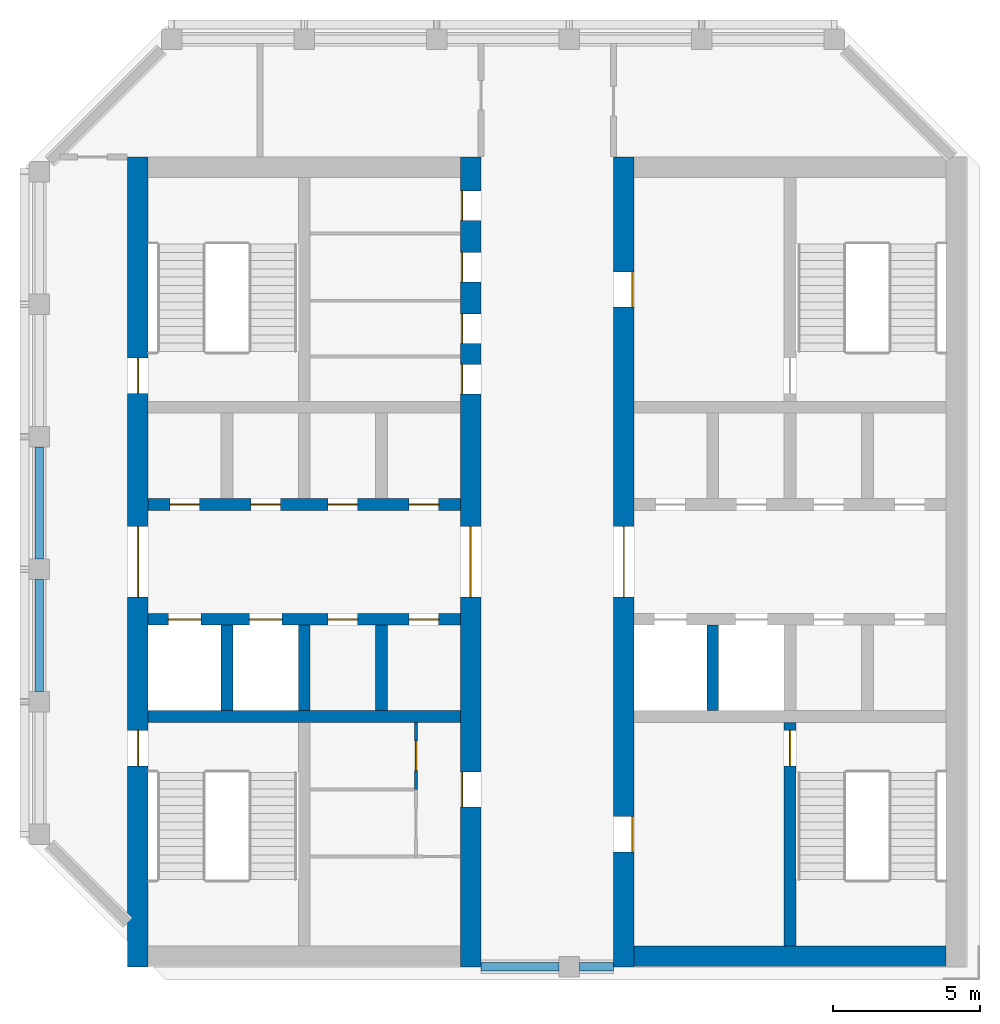
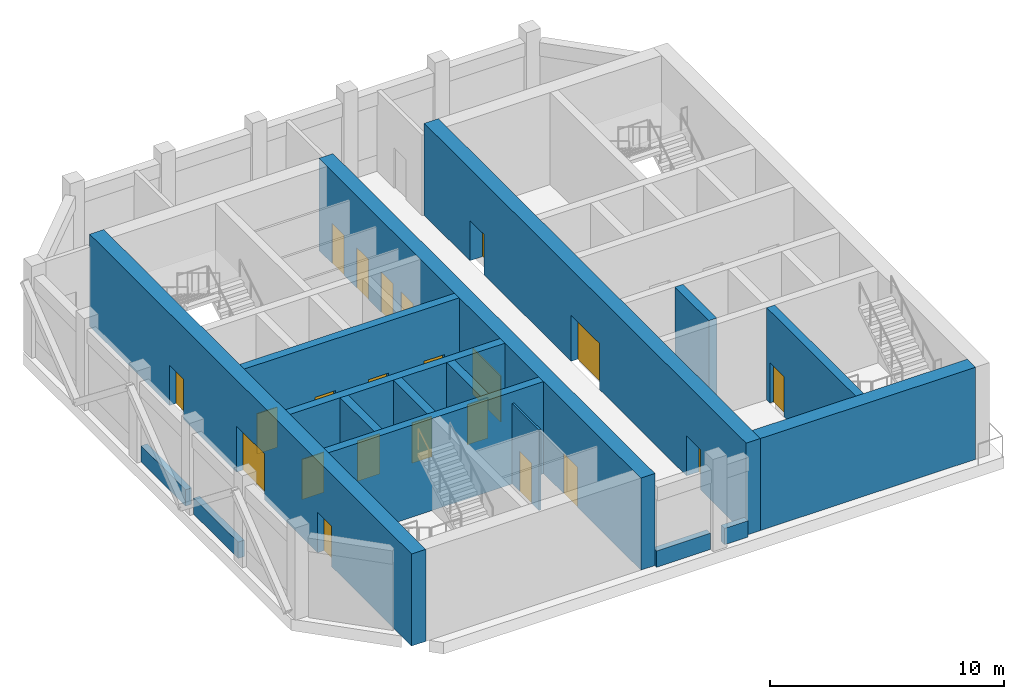
# One storey, part 2 of 6: 22 doors, 17 walls, 22 openings.
"""IFC4 building model written with IfcOpenShell, lengths in metres."""

from ifc_helpers import new_model, si_unit, direction, frame, frame_2d, origin, place, context, subcontext, project, spatial, rectangle, extrude, material, layer, layer_set, type_object, element, fill, save


model = new_model("IFC4")

# Units and contexts
model_context = context("Model", 3, precision=1e-05, world=origin(), true_north=direction((0.0, 1.0)))
body_context = subcontext(model_context, "Body", "Model", "MODEL_VIEW")
ifc_project = project(units=[si_unit("LENGTHUNIT", "METRE"), si_unit("AREAUNIT", "SQUARE_METRE"), si_unit("VOLUMEUNIT", "CUBIC_METRE"), si_unit("PLANEANGLEUNIT", "RADIAN"), si_unit("MASSUNIT", "GRAM", prefix="KILO")], contexts=[model_context])

# Site, building, storey
site_placement = place(None, origin())
site = spatial("IfcSite", under=ifc_project, at=site_placement, CompositionType="ELEMENT")
building_placement = place(site_placement, origin())
building = spatial("IfcBuilding", under=site, at=building_placement, Name="Corbel Stack Research Tower", CompositionType="ELEMENT")
storey_placement = place(building_placement, frame((0.0, 0.0, 321.39990234375)))
storey = spatial("IfcBuildingStorey", under=building, at=storey_placement, Name="L72", CompositionType="ELEMENT", Elevation=321.39990234375)

# Wall
ifc_material_1 = material(Name="Concrete C60/75", Category="concrete")
ifc_layer_1 = layer(ifc_material_1, 0.39990234375)
ifc_layer_set_1 = layer_set([ifc_layer_1], Name="Concrete C60/75")
wall_type_1 = type_object("IfcWallType", Name="CW-400-60", PredefinedType="SHEAR", material=ifc_layer_set_1)
wall_1_placement = place(storey_placement, frame((-9.800048828125, -0.5, 0.0), z_axis=(0.0, 0.0, 1.0), x_axis=(1.0, 0.0, 0.0)))
element("IfcWall", 1, at=wall_1_placement, inside=storey, type_object=wall_type_1, Name="West core wall, south row back L72", PredefinedType="SHEAR", context=body_context, shape_type="SweptSolid", body=[
    extrude(rectangle(XDim=10.60009765625, YDim=0.39990234375, at=frame_2d((5.300048828125, 0.0))), origin(), (0.0, 0.0, 1.0), 4.800048828125),
])

# Wall, openings, doors
wall_2_placement = place(storey_placement, frame((-9.800048828125, 2.800048828125, 0.0), z_axis=(0.0, 0.0, 1.0), x_axis=(1.0, 0.0, 0.0)))
wall_2 = element("IfcWall", 2, at=wall_2_placement, inside=storey, type_object=wall_type_1, Name="West core wall, lobby south L72", PredefinedType="SHEAR", context=body_context, shape_type="SweptSolid", body=[
    extrude(rectangle(XDim=10.60009765625, YDim=0.39990234375, at=frame_2d((5.300048828125, 0.0))), origin(), (0.0, 0.0, 1.0), 4.800048828125),
])
opening_1_placement = place(wall_2_placement, frame((0.6875, 0.0, 0.0)))
opening_1 = element("IfcOpeningElement", 3, at=opening_1_placement, cuts=wall_2, Name="Opening LD-FS1", PredefinedType="OPENING", context=body_context, shape_type="SweptSolid", body=[
    extrude(rectangle(XDim=1.10009765625, YDim=2.10009765625, at=frame_2d((0.550048828125, 1.050048828125))), frame((0.0, 0.2099609375, 0.0), z_axis=(0.0, -1.0, 0.0), x_axis=(1.0, 0.0, 0.0)), (0.0, 0.0, 1.0), 0.419921875),
])
opening_2_placement = place(wall_2_placement, frame((3.4375, 0.0, 0.0)))
opening_2 = element("IfcOpeningElement", 4, at=opening_2_placement, cuts=wall_2, Name="Opening LD-GL1", PredefinedType="OPENING", context=body_context, shape_type="SweptSolid", body=[
    extrude(rectangle(XDim=1.10009765625, YDim=2.10009765625, at=frame_2d((0.550048828125, 1.050048828125))), frame((0.0, 0.2099609375, 0.0), z_axis=(0.0, -1.0, 0.0), x_axis=(1.0, 0.0, 0.0)), (0.0, 0.0, 1.0), 0.419921875),
])
opening_3_placement = place(wall_2_placement, frame((6.112548828125, 0.0, 0.0)))
opening_3 = element("IfcOpeningElement", 5, at=opening_3_placement, cuts=wall_2, Name="Opening CR-W66-S3", PredefinedType="OPENING", context=body_context, shape_type="SweptSolid", body=[
    extrude(rectangle(XDim=1.0, YDim=2.10009765625, at=frame_2d((0.5, 1.050048828125))), frame((0.0, 0.2099609375, 0.0), z_axis=(0.0, -1.0, 0.0), x_axis=(1.0, 0.0, 0.0)), (0.0, 0.0, 1.0), 0.419921875),
])
opening_4_placement = place(wall_2_placement, frame((8.862548828125, 0.0, 0.0)))
opening_4 = element("IfcOpeningElement", 6, at=opening_4_placement, cuts=wall_2, Name="Opening CR-W66-S4", PredefinedType="OPENING", context=body_context, shape_type="SweptSolid", body=[
    extrude(rectangle(XDim=1.0, YDim=2.10009765625, at=frame_2d((0.5, 1.050048828125))), frame((0.0, 0.2099609375, 0.0), z_axis=(0.0, -1.0, 0.0), x_axis=(1.0, 0.0, 0.0)), (0.0, 0.0, 1.0), 0.419921875),
])
ifc_material_2 = material(Name="Stainless steel landing door", Category="steel")
door_type_1 = type_object("IfcDoorType", Name="Lift landing door 1100 x 2100", OperationType="DOUBLE_DOOR_SLIDING", PredefinedType="DOOR", material=ifc_material_2)
door_1_placement = place(opening_1_placement, origin())
door_1 = element("IfcDoor", 7, at=door_1_placement, inside=storey, type_object=door_type_1, Name="Landing door FS1", OperationType="DOUBLE_DOOR_SLIDING", OverallHeight=2.10009765625, OverallWidth=1.10009765625, PredefinedType="DOOR", context=body_context, shape_type="SweptSolid", body=[
    extrude(rectangle(XDim=1.10009765625, YDim=2.10009765625, at=frame_2d((0.550048828125, 1.050048828125))), frame((0.0, 0.02490234375, 0.0), z_axis=(0.0, -1.0, 0.0), x_axis=(1.0, 0.0, 0.0)), (0.0, 0.0, 1.0), 0.050048828125),
])
fill(opening_1, door_1)
door_2_placement = place(opening_2_placement, origin())
door_2 = element("IfcDoor", 8, at=door_2_placement, inside=storey, type_object=door_type_1, Name="Landing door GL1", OperationType="DOUBLE_DOOR_SLIDING", OverallHeight=2.10009765625, OverallWidth=1.10009765625, PredefinedType="DOOR", context=body_context, shape_type="SweptSolid", body=[
    extrude(rectangle(XDim=1.10009765625, YDim=2.10009765625, at=frame_2d((0.550048828125, 1.050048828125))), frame((0.0, 0.02490234375, 0.0), z_axis=(0.0, -1.0, 0.0), x_axis=(1.0, 0.0, 0.0)), (0.0, 0.0, 1.0), 0.050048828125),
])
fill(opening_2, door_2)
ifc_material_3 = material(Name="Painted steel door", Category="steel")
door_type_2 = type_object("IfcDoorType", Name="Service door 1000 x 2100 FD60 left hand", OperationType="SINGLE_SWING_LEFT", PredefinedType="DOOR", material=ifc_material_3)
door_3_placement = place(opening_3_placement, origin())
door_3 = element("IfcDoor", 9, at=door_3_placement, inside=storey, type_object=door_type_2, Name="Telecom plant room door W core", OperationType="SINGLE_SWING_LEFT", OverallHeight=2.10009765625, OverallWidth=1.0, PredefinedType="DOOR", context=body_context, shape_type="SweptSolid", body=[
    extrude(rectangle(XDim=1.0, YDim=2.10009765625, at=frame_2d((0.5, 1.050048828125))), frame((0.0, 0.02490234375, 0.0), z_axis=(0.0, -1.0, 0.0), x_axis=(1.0, 0.0, 0.0)), (0.0, 0.0, 1.0), 0.050048828125),
])
fill(opening_3, door_3)
ifc_material_4 = material(Name="Painted steel door", Category="steel")
door_type_3 = type_object("IfcDoorType", Name="Service door 1000 x 2100 FD60 right hand", OperationType="SINGLE_SWING_RIGHT", PredefinedType="DOOR", material=ifc_material_4)
door_4_placement = place(opening_4_placement, origin())
door_4 = element("IfcDoor", 10, at=door_4_placement, inside=storey, type_object=door_type_3, Name="Telecom plant room door W core", OperationType="SINGLE_SWING_RIGHT", OverallHeight=2.10009765625, OverallWidth=1.0, PredefinedType="DOOR", context=body_context, shape_type="SweptSolid", body=[
    extrude(rectangle(XDim=1.0, YDim=2.10009765625, at=frame_2d((0.5, 1.050048828125))), frame((0.0, 0.02490234375, 0.0), z_axis=(0.0, -1.0, 0.0), x_axis=(1.0, 0.0, 0.0)), (0.0, 0.0, 1.0), 0.050048828125),
])
fill(opening_4, door_4)

wall_3_placement = place(storey_placement, frame((-9.800048828125, 6.699951171875, 0.0), z_axis=(0.0, 0.0, 1.0), x_axis=(1.0, 0.0, 0.0)))
wall_3 = element("IfcWall", 11, at=wall_3_placement, inside=storey, type_object=wall_type_1, Name="West core wall, lobby north L72", PredefinedType="SHEAR", context=body_context, shape_type="SweptSolid", body=[
    extrude(rectangle(XDim=10.60009765625, YDim=0.39990234375, at=frame_2d((5.300048828125, 0.0))), origin(), (0.0, 0.0, 1.0), 4.800048828125),
])
opening_5_placement = place(wall_3_placement, frame((0.737548828125, 0.0, 0.0)))
opening_5 = element("IfcOpeningElement", 12, at=opening_5_placement, cuts=wall_3, Name="Opening CR-W66-N1", PredefinedType="OPENING", context=body_context, shape_type="SweptSolid", body=[
    extrude(rectangle(XDim=1.0, YDim=2.10009765625, at=frame_2d((0.5, 1.050048828125))), frame((0.0, 0.2099609375, 0.0), z_axis=(0.0, -1.0, 0.0), x_axis=(1.0, 0.0, 0.0)), (0.0, 0.0, 1.0), 0.419921875),
])
opening_6_placement = place(wall_3_placement, frame((3.487548828125, 0.0, 0.0)))
opening_6 = element("IfcOpeningElement", 13, at=opening_6_placement, cuts=wall_3, Name="Opening CR-W66-N2", PredefinedType="OPENING", context=body_context, shape_type="SweptSolid", body=[
    extrude(rectangle(XDim=1.0, YDim=2.10009765625, at=frame_2d((0.5, 1.050048828125))), frame((0.0, 0.2099609375, 0.0), z_axis=(0.0, -1.0, 0.0), x_axis=(1.0, 0.0, 0.0)), (0.0, 0.0, 1.0), 0.419921875),
])
opening_7_placement = place(wall_3_placement, frame((6.112548828125, 0.0, 0.0)))
opening_7 = element("IfcOpeningElement", 14, at=opening_7_placement, cuts=wall_3, Name="Opening CR-W66-N3", PredefinedType="OPENING", context=body_context, shape_type="SweptSolid", body=[
    extrude(rectangle(XDim=1.0, YDim=2.10009765625, at=frame_2d((0.5, 1.050048828125))), frame((0.0, 0.2099609375, 0.0), z_axis=(0.0, -1.0, 0.0), x_axis=(1.0, 0.0, 0.0)), (0.0, 0.0, 1.0), 0.419921875),
])
opening_8_placement = place(wall_3_placement, frame((8.862548828125, 0.0, 0.0)))
opening_8 = element("IfcOpeningElement", 15, at=opening_8_placement, cuts=wall_3, Name="Opening CR-W66-N4", PredefinedType="OPENING", context=body_context, shape_type="SweptSolid", body=[
    extrude(rectangle(XDim=1.0, YDim=2.10009765625, at=frame_2d((0.5, 1.050048828125))), frame((0.0, 0.2099609375, 0.0), z_axis=(0.0, -1.0, 0.0), x_axis=(1.0, 0.0, 0.0)), (0.0, 0.0, 1.0), 0.419921875),
])
door_5_placement = place(opening_5_placement, origin())
door_5 = element("IfcDoor", 16, at=door_5_placement, inside=storey, type_object=door_type_2, Name="Telecom plant room door W core", OperationType="SINGLE_SWING_LEFT", OverallHeight=2.10009765625, OverallWidth=1.0, PredefinedType="DOOR", context=body_context, shape_type="SweptSolid", body=[
    extrude(rectangle(XDim=1.0, YDim=2.10009765625, at=frame_2d((0.5, 1.050048828125))), frame((0.0, 0.02490234375, 0.0), z_axis=(0.0, -1.0, 0.0), x_axis=(1.0, 0.0, 0.0)), (0.0, 0.0, 1.0), 0.050048828125),
])
fill(opening_5, door_5)
door_6_placement = place(opening_7_placement, origin())
door_6 = element("IfcDoor", 17, at=door_6_placement, inside=storey, type_object=door_type_2, Name="Mechanical room door W core", OperationType="SINGLE_SWING_LEFT", OverallHeight=2.10009765625, OverallWidth=1.0, PredefinedType="DOOR", context=body_context, shape_type="SweptSolid", body=[
    extrude(rectangle(XDim=1.0, YDim=2.10009765625, at=frame_2d((0.5, 1.050048828125))), frame((0.0, 0.02490234375, 0.0), z_axis=(0.0, -1.0, 0.0), x_axis=(1.0, 0.0, 0.0)), (0.0, 0.0, 1.0), 0.050048828125),
])
fill(opening_7, door_6)
door_7_placement = place(opening_6_placement, origin())
door_7 = element("IfcDoor", 18, at=door_7_placement, inside=storey, type_object=door_type_3, Name="Mechanical room door W core", OperationType="SINGLE_SWING_RIGHT", OverallHeight=2.10009765625, OverallWidth=1.0, PredefinedType="DOOR", context=body_context, shape_type="SweptSolid", body=[
    extrude(rectangle(XDim=1.0, YDim=2.10009765625, at=frame_2d((0.5, 1.050048828125))), frame((0.0, 0.02490234375, 0.0), z_axis=(0.0, -1.0, 0.0), x_axis=(1.0, 0.0, 0.0)), (0.0, 0.0, 1.0), 0.050048828125),
])
fill(opening_6, door_7)
door_8_placement = place(opening_8_placement, origin())
door_8 = element("IfcDoor", 19, at=door_8_placement, inside=storey, type_object=door_type_3, Name="Mechanical room door W core", OperationType="SINGLE_SWING_RIGHT", OverallHeight=2.10009765625, OverallWidth=1.0, PredefinedType="DOOR", context=body_context, shape_type="SweptSolid", body=[
    extrude(rectangle(XDim=1.0, YDim=2.10009765625, at=frame_2d((0.5, 1.050048828125))), frame((0.0, 0.02490234375, 0.0), z_axis=(0.0, -1.0, 0.0), x_axis=(1.0, 0.0, 0.0)), (0.0, 0.0, 1.0), 0.050048828125),
])
fill(opening_8, door_8)

# Walls
for number, where, z_axis, x_axis, name in (
    (20, (-7.125, -0.300048828125, 0.0), (0.0, 0.0, 1.0), (0.0, 1.0, 0.0), "West core wall, south shaft 1 L72"),
    (21, (-4.5, -0.300048828125, 0.0), (0.0, 0.0, 1.0), (0.0, 1.0, 0.0), "West core wall, south shaft 2 L72"),
    (22, (-1.875, -0.300048828125, 0.0), (0.0, 0.0, 1.0), (0.0, 1.0, 0.0), "West core wall, south shaft 3 L72"),
    (23, (9.375, -0.300048828125, 0.0), (0.0, 0.0, 1.0), (0.0, 1.0, 0.0), "East core wall, south shaft 1 L72"),
):
    element("IfcWall", number, at=place(storey_placement, frame(where, z_axis=z_axis, x_axis=x_axis)), inside=storey, type_object=wall_type_1, Name=name, PredefinedType="SHEAR", context=body_context, shape_type="SweptSolid", body=[
        extrude(rectangle(XDim=2.900146484375, YDim=0.39990234375, at=frame_2d((1.4501953125, 0.0))), origin(), (0.0, 0.0, 1.0), 4.800048828125),
    ])

# Wall, opening, door
wall_4_placement = place(storey_placement, frame((12.0, -8.300048828125, 0.0), z_axis=(0.0, 0.0, 1.0), x_axis=(0.0, 1.0, 0.0)))
wall_4 = element("IfcWall", 24, at=wall_4_placement, inside=storey, type_object=wall_type_1, Name="East core wall, south stair and WC L72", PredefinedType="SHEAR", context=body_context, shape_type="SweptSolid", body=[
    extrude(rectangle(XDim=7.60009765625, YDim=0.39990234375, at=frame_2d((3.800048828125, 0.0))), origin(), (0.0, 0.0, 1.0), 4.800048828125),
])
opening_9_placement = place(wall_4_placement, frame((6.125, 0.0, 0.0)))
opening_9 = element("IfcOpeningElement", 25, at=opening_9_placement, cuts=wall_4, Name="Opening SD-ST-E1", PredefinedType="OPENING", context=body_context, shape_type="SweptSolid", body=[
    extrude(rectangle(XDim=1.199951171875, YDim=2.10009765625, at=frame_2d((0.60009765625, 1.050048828125))), frame((0.0, 0.2099609375, 0.0), z_axis=(0.0, -1.0, 0.0), x_axis=(1.0, 0.0, 0.0)), (0.0, 0.0, 1.0), 0.419921875),
])
ifc_material_5 = material(Name="Painted steel fire door", Category="steel")
door_type_4 = type_object("IfcDoorType", Name="Stair door 1200 x 2100 FD90 right hand", OperationType="SINGLE_SWING_RIGHT", PredefinedType="DOOR", material=ifc_material_5)
door_9_placement = place(opening_9_placement, origin())
door_9 = element("IfcDoor", 26, at=door_9_placement, inside=storey, type_object=door_type_4, Name="Stair door ST-E1", OperationType="SINGLE_SWING_RIGHT", OverallHeight=2.10009765625, OverallWidth=1.199951171875, PredefinedType="DOOR", context=body_context, shape_type="SweptSolid", body=[
    extrude(rectangle(XDim=1.199951171875, YDim=2.10009765625, at=frame_2d((0.60009765625, 1.050048828125))), frame((0.0, 0.02490234375, 0.0), z_axis=(0.0, -1.0, 0.0), x_axis=(1.0, 0.0, 0.0)), (0.0, 0.0, 1.0), 0.050048828125),
])
fill(opening_9, door_9)

# Wall, openings, doors
ifc_material_6 = material(Name="Concrete C60/75", Category="concrete")
ifc_layer_2 = layer(ifc_material_6, 0.699951171875)
ifc_layer_set_2 = layer_set([ifc_layer_2], Name="Concrete C60/75")
wall_type_2 = type_object("IfcWallType", Name="CW-700-60", PredefinedType="SHEAR", material=ifc_layer_set_2)
wall_5_placement = place(storey_placement, frame((-10.14990234375, -9.0, 0.0), z_axis=(0.0, 0.0, 1.0), x_axis=(0.0, 1.0, 0.0)))
wall_5 = element("IfcWall", 27, at=wall_5_placement, inside=storey, type_object=wall_type_2, Name="West core wall, west face L72", PredefinedType="SHEAR", context=body_context, shape_type="SweptSolid", body=[
    extrude(rectangle(XDim=27.5, YDim=0.699951171875, at=frame_2d((13.75, 0.0))), origin(), (0.0, 0.0, 1.0), 4.800048828125),
])
opening_10_placement = place(wall_5_placement, frame((12.550048828125, 0.0, 0.0)))
opening_10 = element("IfcOpeningElement", 28, at=opening_10_placement, cuts=wall_5, Name="Opening CD-W-W", PredefinedType="OPENING", context=body_context, shape_type="SweptSolid", body=[
    extrude(rectangle(XDim=2.39990234375, YDim=2.39990234375, at=frame_2d((1.199951171875, 1.199951171875))), frame((0.0, 0.35986328125, 0.0), z_axis=(0.0, -1.0, 0.0), x_axis=(1.0, 0.0, 0.0)), (0.0, 0.0, 1.0), 0.719970703125),
])
opening_11_placement = place(wall_5_placement, frame((6.824951171875, 0.0, 0.0)))
opening_11 = element("IfcOpeningElement", 29, at=opening_11_placement, cuts=wall_5, Name="Opening SD-ST-W1", PredefinedType="OPENING", context=body_context, shape_type="SweptSolid", body=[
    extrude(rectangle(XDim=1.199951171875, YDim=2.10009765625, at=frame_2d((0.60009765625, 1.050048828125))), frame((0.0, 0.35986328125, 0.0), z_axis=(0.0, -1.0, 0.0), x_axis=(1.0, 0.0, 0.0)), (0.0, 0.0, 1.0), 0.719970703125),
])
opening_12_placement = place(wall_5_placement, frame((19.47509765625, 0.0, 0.0)))
opening_12 = element("IfcOpeningElement", 30, at=opening_12_placement, cuts=wall_5, Name="Opening SD-ST-W2", PredefinedType="OPENING", context=body_context, shape_type="SweptSolid", body=[
    extrude(rectangle(XDim=1.199951171875, YDim=2.10009765625, at=frame_2d((0.60009765625, 1.050048828125))), frame((0.0, 0.35986328125, 0.0), z_axis=(0.0, -1.0, 0.0), x_axis=(1.0, 0.0, 0.0)), (0.0, 0.0, 1.0), 0.719970703125),
])
ifc_material_7 = material(Name="Painted steel fire door", Category="steel")
door_type_5 = type_object("IfcDoorType", Name="Lobby door pair 2400 x 2400 FD30S", OperationType="DOUBLE_DOOR_DOUBLE_SWING", PredefinedType="DOOR", material=ifc_material_7)
door_10_placement = place(opening_10_placement, origin())
door_10 = element("IfcDoor", 31, at=door_10_placement, inside=storey, type_object=door_type_5, Name="Lift lobby door W core W", OperationType="DOUBLE_DOOR_DOUBLE_SWING", OverallHeight=2.39990234375, OverallWidth=2.39990234375, PredefinedType="DOOR", context=body_context, shape_type="SweptSolid", body=[
    extrude(rectangle(XDim=2.39990234375, YDim=2.39990234375, at=frame_2d((1.199951171875, 1.199951171875))), frame((0.0, 0.02490234375, 0.0), z_axis=(0.0, -1.0, 0.0), x_axis=(1.0, 0.0, 0.0)), (0.0, 0.0, 1.0), 0.050048828125),
])
fill(opening_10, door_10)
ifc_material_8 = material(Name="Painted steel fire door", Category="steel")
door_type_6 = type_object("IfcDoorType", Name="Stair door 1200 x 2100 FD90 left hand", OperationType="SINGLE_SWING_LEFT", PredefinedType="DOOR", material=ifc_material_8)
door_11_placement = place(opening_11_placement, origin())
door_11 = element("IfcDoor", 32, at=door_11_placement, inside=storey, type_object=door_type_6, Name="Stair door ST-W1", OperationType="SINGLE_SWING_LEFT", OverallHeight=2.10009765625, OverallWidth=1.199951171875, PredefinedType="DOOR", context=body_context, shape_type="SweptSolid", body=[
    extrude(rectangle(XDim=1.199951171875, YDim=2.10009765625, at=frame_2d((0.60009765625, 1.050048828125))), frame((0.0, 0.02490234375, 0.0), z_axis=(0.0, -1.0, 0.0), x_axis=(1.0, 0.0, 0.0)), (0.0, 0.0, 1.0), 0.050048828125),
])
fill(opening_11, door_11)
door_12_placement = place(opening_12_placement, origin())
door_12 = element("IfcDoor", 33, at=door_12_placement, inside=storey, type_object=door_type_6, Name="Stair door ST-W2", OperationType="SINGLE_SWING_LEFT", OverallHeight=2.10009765625, OverallWidth=1.199951171875, PredefinedType="DOOR", context=body_context, shape_type="SweptSolid", body=[
    extrude(rectangle(XDim=1.199951171875, YDim=2.10009765625, at=frame_2d((0.60009765625, 1.050048828125))), frame((0.0, 0.02490234375, 0.0), z_axis=(0.0, -1.0, 0.0), x_axis=(1.0, 0.0, 0.0)), (0.0, 0.0, 1.0), 0.050048828125),
])
fill(opening_12, door_12)

wall_6_placement = place(storey_placement, frame((1.14990234375, -9.0, 0.0), z_axis=(0.0, 0.0, 1.0), x_axis=(0.0, 1.0, 0.0)))
wall_6 = element("IfcWall", 34, at=wall_6_placement, inside=storey, type_object=wall_type_2, Name="West core wall, east face L72", PredefinedType="SHEAR", context=body_context, shape_type="SweptSolid", body=[
    extrude(rectangle(XDim=27.5, YDim=0.699951171875, at=frame_2d((13.75, 0.0))), origin(), (0.0, 0.0, 1.0), 4.800048828125),
])
opening_13_placement = place(wall_6_placement, frame((12.550048828125, 0.0, 0.0)))
opening_13 = element("IfcOpeningElement", 35, at=opening_13_placement, cuts=wall_6, Name="Opening CD-W-E", PredefinedType="OPENING", context=body_context, shape_type="SweptSolid", body=[
    extrude(rectangle(XDim=2.39990234375, YDim=2.39990234375, at=frame_2d((1.199951171875, 1.199951171875))), frame((0.0, 0.35986328125, 0.0), z_axis=(0.0, -1.0, 0.0), x_axis=(1.0, 0.0, 0.0)), (0.0, 0.0, 1.0), 0.719970703125),
])
opening_14_placement = place(wall_6_placement, frame((5.419921875, 0.0, 0.0)))
opening_14 = element("IfcOpeningElement", 36, at=opening_14_placement, cuts=wall_6, Name="Opening CR-W66-W1-1200", PredefinedType="OPENING", context=body_context, shape_type="SweptSolid", body=[
    extrude(rectangle(XDim=1.199951171875, YDim=2.10009765625, at=frame_2d((0.60009765625, 1.050048828125))), frame((0.0, 0.35986328125, 0.0), z_axis=(0.0, -1.0, 0.0), x_axis=(1.0, 0.0, 0.0)), (0.0, 0.0, 1.0), 0.719970703125),
])
opening_15_placement = place(wall_6_placement, frame((19.4599609375, 0.0, 0.0)))
opening_15 = element("IfcOpeningElement", 37, at=opening_15_placement, cuts=wall_6, Name="Opening CR-W66-R1-1000", PredefinedType="OPENING", context=body_context, shape_type="SweptSolid", body=[
    extrude(rectangle(XDim=1.0, YDim=2.10009765625, at=frame_2d((0.5, 1.050048828125))), frame((0.0, 0.35986328125, 0.0), z_axis=(0.0, -1.0, 0.0), x_axis=(1.0, 0.0, 0.0)), (0.0, 0.0, 1.0), 0.719970703125),
])
opening_16_placement = place(wall_6_placement, frame((21.169921875, 0.0, 0.0)))
opening_16 = element("IfcOpeningElement", 38, at=opening_16_placement, cuts=wall_6, Name="Opening CR-W66-R2-1000", PredefinedType="OPENING", context=body_context, shape_type="SweptSolid", body=[
    extrude(rectangle(XDim=1.0, YDim=2.10009765625, at=frame_2d((0.5, 1.050048828125))), frame((0.0, 0.35986328125, 0.0), z_axis=(0.0, -1.0, 0.0), x_axis=(1.0, 0.0, 0.0)), (0.0, 0.0, 1.0), 0.719970703125),
])
opening_17_placement = place(wall_6_placement, frame((23.260009765625, 0.0, 0.0)))
opening_17 = element("IfcOpeningElement", 39, at=opening_17_placement, cuts=wall_6, Name="Opening CR-W66-R3-1000", PredefinedType="OPENING", context=body_context, shape_type="SweptSolid", body=[
    extrude(rectangle(XDim=1.0, YDim=2.10009765625, at=frame_2d((0.5, 1.050048828125))), frame((0.0, 0.35986328125, 0.0), z_axis=(0.0, -1.0, 0.0), x_axis=(1.0, 0.0, 0.0)), (0.0, 0.0, 1.0), 0.719970703125),
])
opening_18_placement = place(wall_6_placement, frame((25.35009765625, 0.0, 0.0)))
opening_18 = element("IfcOpeningElement", 40, at=opening_18_placement, cuts=wall_6, Name="Opening CR-W66-R4-1000", PredefinedType="OPENING", context=body_context, shape_type="SweptSolid", body=[
    extrude(rectangle(XDim=1.0, YDim=2.10009765625, at=frame_2d((0.5, 1.050048828125))), frame((0.0, 0.35986328125, 0.0), z_axis=(0.0, -1.0, 0.0), x_axis=(1.0, 0.0, 0.0)), (0.0, 0.0, 1.0), 0.719970703125),
])
door_13_placement = place(opening_13_placement, origin())
door_13 = element("IfcDoor", 41, at=door_13_placement, inside=storey, type_object=door_type_5, Name="Lift lobby door W core E", OperationType="DOUBLE_DOOR_DOUBLE_SWING", OverallHeight=2.39990234375, OverallWidth=2.39990234375, PredefinedType="DOOR", context=body_context, shape_type="SweptSolid", body=[
    extrude(rectangle(XDim=2.39990234375, YDim=2.39990234375, at=frame_2d((1.199951171875, 1.199951171875))), frame((0.0, 0.02490234375, 0.0), z_axis=(0.0, -1.0, 0.0), x_axis=(1.0, 0.0, 0.0)), (0.0, 0.0, 1.0), 0.050048828125),
])
fill(opening_13, door_13)
ifc_material_9 = material(Name="Painted steel door", Category="steel")
door_type_7 = type_object("IfcDoorType", Name="Riser door 1000 x 2100 FD60 left hand", OperationType="SINGLE_SWING_LEFT", PredefinedType="DOOR", material=ifc_material_9)
door_14_placement = place(opening_15_placement, origin())
door_14 = element("IfcDoor", 42, at=door_14_placement, inside=storey, type_object=door_type_7, Name="Electrical plant riser door W core", OperationType="SINGLE_SWING_LEFT", OverallHeight=2.10009765625, OverallWidth=1.0, PredefinedType="DOOR", context=body_context, shape_type="SweptSolid", body=[
    extrude(rectangle(XDim=1.0, YDim=2.10009765625, at=frame_2d((0.5, 1.050048828125))), frame((0.0, 0.3251953125, 0.0), z_axis=(0.0, -1.0, 0.0), x_axis=(1.0, 0.0, 0.0)), (0.0, 0.0, 1.0), 0.050048828125),
])
fill(opening_15, door_14)
ifc_material_10 = material(Name="Painted steel door", Category="steel")
door_type_8 = type_object("IfcDoorType", Name="Riser door 1000 x 2100 FD60 right hand", OperationType="SINGLE_SWING_RIGHT", PredefinedType="DOOR", material=ifc_material_10)
door_15_placement = place(opening_16_placement, origin())
door_15 = element("IfcDoor", 43, at=door_15_placement, inside=storey, type_object=door_type_8, Name="Telecom plant room door W core", OperationType="SINGLE_SWING_RIGHT", OverallHeight=2.10009765625, OverallWidth=1.0, PredefinedType="DOOR", context=body_context, shape_type="SweptSolid", body=[
    extrude(rectangle(XDim=1.0, YDim=2.10009765625, at=frame_2d((0.5, 1.050048828125))), frame((0.0, 0.3251953125, 0.0), z_axis=(0.0, -1.0, 0.0), x_axis=(1.0, 0.0, 0.0)), (0.0, 0.0, 1.0), 0.050048828125),
])
fill(opening_16, door_15)
ifc_material_11 = material(Name="Painted steel door", Category="steel")
door_type_9 = type_object("IfcDoorType", Name="Service door 1000 x 2100 FD30 left hand", OperationType="SINGLE_SWING_LEFT", PredefinedType="DOOR", material=ifc_material_11)
door_16_placement = place(opening_17_placement, origin())
door_16 = element("IfcDoor", 44, at=door_16_placement, inside=storey, type_object=door_type_9, Name="Pantry door W core", OperationType="SINGLE_SWING_LEFT", OverallHeight=2.10009765625, OverallWidth=1.0, PredefinedType="DOOR", context=body_context, shape_type="SweptSolid", body=[
    extrude(rectangle(XDim=1.0, YDim=2.10009765625, at=frame_2d((0.5, 1.050048828125))), frame((0.0, 0.3251953125, 0.0), z_axis=(0.0, -1.0, 0.0), x_axis=(1.0, 0.0, 0.0)), (0.0, 0.0, 1.0), 0.050048828125),
])
fill(opening_17, door_16)
ifc_material_12 = material(Name="Painted steel door", Category="steel")
door_type_10 = type_object("IfcDoorType", Name="Service door 1000 x 2100 FD30 right hand", OperationType="SINGLE_SWING_RIGHT", PredefinedType="DOOR", material=ifc_material_12)
door_17_placement = place(opening_18_placement, origin())
door_17 = element("IfcDoor", 45, at=door_17_placement, inside=storey, type_object=door_type_10, Name="Cleaner's store door W core", OperationType="SINGLE_SWING_RIGHT", OverallHeight=2.10009765625, OverallWidth=1.0, PredefinedType="DOOR", context=body_context, shape_type="SweptSolid", body=[
    extrude(rectangle(XDim=1.0, YDim=2.10009765625, at=frame_2d((0.5, 1.050048828125))), frame((0.0, 0.3251953125, 0.0), z_axis=(0.0, -1.0, 0.0), x_axis=(1.0, 0.0, 0.0)), (0.0, 0.0, 1.0), 0.050048828125),
])
fill(opening_18, door_17)
ifc_material_13 = material(Name="Painted timber door", Category="wood")
door_type_11 = type_object("IfcDoorType", Name="WC door 1200 x 2100 left hand", OperationType="SINGLE_SWING_LEFT", PredefinedType="DOOR", material=ifc_material_13)
door_18_placement = place(opening_14_placement, origin())
door_18 = element("IfcDoor", 46, at=door_18_placement, inside=storey, type_object=door_type_11, Name="WC lobby door W core", OperationType="SINGLE_SWING_LEFT", OverallHeight=2.10009765625, OverallWidth=1.199951171875, PredefinedType="DOOR", context=body_context, shape_type="SweptSolid", body=[
    extrude(rectangle(XDim=1.199951171875, YDim=2.10009765625, at=frame_2d((0.60009765625, 1.050048828125))), frame((0.0, 0.3251953125, 0.0), z_axis=(0.0, -1.0, 0.0), x_axis=(1.0, 0.0, 0.0)), (0.0, 0.0, 1.0), 0.050048828125),
])
fill(opening_14, door_18)

wall_7_placement = place(storey_placement, frame((6.35009765625, -9.0, 0.0), z_axis=(0.0, 0.0, 1.0), x_axis=(0.0, 1.0, 0.0)))
wall_7 = element("IfcWall", 47, at=wall_7_placement, inside=storey, type_object=wall_type_2, Name="East core wall, west face L72", PredefinedType="SHEAR", context=body_context, shape_type="SweptSolid", body=[
    extrude(rectangle(XDim=27.5, YDim=0.699951171875, at=frame_2d((13.75, 0.0))), origin(), (0.0, 0.0, 1.0), 4.800048828125),
])
opening_19_placement = place(wall_7_placement, frame((12.550048828125, 0.0, 0.0)))
opening_19 = element("IfcOpeningElement", 48, at=opening_19_placement, cuts=wall_7, Name="Opening CD-E-W", PredefinedType="OPENING", context=body_context, shape_type="SweptSolid", body=[
    extrude(rectangle(XDim=2.39990234375, YDim=2.39990234375, at=frame_2d((1.199951171875, 1.199951171875))), frame((0.0, 0.35986328125, 0.0), z_axis=(0.0, -1.0, 0.0), x_axis=(1.0, 0.0, 0.0)), (0.0, 0.0, 1.0), 0.719970703125),
])
opening_20_placement = place(wall_7_placement, frame((3.89990234375, 0.0, 0.0)))
opening_20 = element("IfcOpeningElement", 49, at=opening_20_placement, cuts=wall_7, Name="Opening CR-E66v-W1-1200", PredefinedType="OPENING", context=body_context, shape_type="SweptSolid", body=[
    extrude(rectangle(XDim=1.199951171875, YDim=2.10009765625, at=frame_2d((0.60009765625, 1.050048828125))), frame((0.0, 0.35986328125, 0.0), z_axis=(0.0, -1.0, 0.0), x_axis=(1.0, 0.0, 0.0)), (0.0, 0.0, 1.0), 0.719970703125),
])
opening_21_placement = place(wall_7_placement, frame((22.39990234375, 0.0, 0.0)))
opening_21 = element("IfcOpeningElement", 50, at=opening_21_placement, cuts=wall_7, Name="Opening CR-E66v-R1-1200", PredefinedType="OPENING", context=body_context, shape_type="SweptSolid", body=[
    extrude(rectangle(XDim=1.199951171875, YDim=2.10009765625, at=frame_2d((0.60009765625, 1.050048828125))), frame((0.0, 0.35986328125, 0.0), z_axis=(0.0, -1.0, 0.0), x_axis=(1.0, 0.0, 0.0)), (0.0, 0.0, 1.0), 0.719970703125),
])
door_19_placement = place(opening_19_placement, origin())
door_19 = element("IfcDoor", 51, at=door_19_placement, inside=storey, type_object=door_type_5, Name="Lift lobby door E core W", OperationType="DOUBLE_DOOR_DOUBLE_SWING", OverallHeight=2.39990234375, OverallWidth=2.39990234375, PredefinedType="DOOR", context=body_context, shape_type="SweptSolid", body=[
    extrude(rectangle(XDim=2.39990234375, YDim=2.39990234375, at=frame_2d((1.199951171875, 1.199951171875))), frame((0.0, 0.02490234375, 0.0), z_axis=(0.0, -1.0, 0.0), x_axis=(1.0, 0.0, 0.0)), (0.0, 0.0, 1.0), 0.050048828125),
])
fill(opening_19, door_19)
ifc_material_14 = material(Name="Painted steel door", Category="steel")
door_type_12 = type_object("IfcDoorType", Name="Service door 1200 x 2100 FD60 right hand", OperationType="SINGLE_SWING_RIGHT", PredefinedType="DOOR", material=ifc_material_14)
door_20_placement = place(opening_20_placement, origin())
door_20 = element("IfcDoor", 52, at=door_20_placement, inside=storey, type_object=door_type_12, Name="Stair vestibule door E core", OperationType="SINGLE_SWING_RIGHT", OverallHeight=2.10009765625, OverallWidth=1.199951171875, PredefinedType="DOOR", context=body_context, shape_type="SweptSolid", body=[
    extrude(rectangle(XDim=1.199951171875, YDim=2.10009765625, at=frame_2d((0.60009765625, 1.050048828125))), frame((0.0, -0.27490234375, 0.0), z_axis=(0.0, -1.0, 0.0), x_axis=(1.0, 0.0, 0.0)), (0.0, 0.0, 1.0), 0.050048828125),
])
fill(opening_20, door_20)
door_21_placement = place(opening_21_placement, origin())
door_21 = element("IfcDoor", 53, at=door_21_placement, inside=storey, type_object=door_type_12, Name="Stair vestibule door E core", OperationType="SINGLE_SWING_RIGHT", OverallHeight=2.10009765625, OverallWidth=1.199951171875, PredefinedType="DOOR", context=body_context, shape_type="SweptSolid", body=[
    extrude(rectangle(XDim=1.199951171875, YDim=2.10009765625, at=frame_2d((0.60009765625, 1.050048828125))), frame((0.0, -0.27490234375, 0.0), z_axis=(0.0, -1.0, 0.0), x_axis=(1.0, 0.0, 0.0)), (0.0, 0.0, 1.0), 0.050048828125),
])
fill(opening_21, door_21)

# Wall
wall_8_placement = place(storey_placement, frame((6.699951171875, -8.64990234375, 0.0), z_axis=(0.0, 0.0, 1.0), x_axis=(1.0, 0.0, 0.0)))
element("IfcWall", 54, at=wall_8_placement, inside=storey, type_object=wall_type_2, Name="East core wall, south end L72", PredefinedType="SHEAR", context=body_context, shape_type="SweptSolid", body=[
    extrude(rectangle(XDim=10.60009765625, YDim=0.699951171875, at=frame_2d((5.300048828125, 0.0))), origin(), (0.0, 0.0, 1.0), 4.800048828125),
])

# Wall, opening, door
ifc_material_15 = material(Name="Gypsum board")
ifc_layer_3 = layer(ifc_material_15, 0.10009765625)
ifc_layer_set_3 = layer_set([ifc_layer_3], Name="Gypsum board")
wall_type_3 = type_object("IfcWallType", Name="Core partition 100", PredefinedType="PARTITIONING", material=ifc_layer_set_3)
wall_9_placement = place(storey_placement, frame((-0.699951171875, -2.97998046875, 0.0), z_axis=(0.0, 0.0, 1.0), x_axis=(0.0, 1.0, 0.0)))
wall_9 = element("IfcWall", 55, at=wall_9_placement, inside=storey, type_object=wall_type_3, Name="Core partition W", PredefinedType="PARTITIONING", context=body_context, shape_type="SweptSolid", body=[
    extrude(rectangle(XDim=2.280029296875, YDim=0.10009765625, at=frame_2d((1.14013671875, 0.0))), origin(), (0.0, 0.0, 1.0), 4.2001953125),
])
opening_22_placement = place(wall_9_placement, frame((0.639892578125, 0.0, 0.0)))
opening_22 = element("IfcOpeningElement", 56, at=opening_22_placement, cuts=wall_9, Name="Opening CR-W66-W4-1000", PredefinedType="OPENING", context=body_context, shape_type="SweptSolid", body=[
    extrude(rectangle(XDim=1.0, YDim=2.10009765625, at=frame_2d((0.5, 1.050048828125))), frame((0.0, 0.06005859375, 0.0), z_axis=(0.0, -1.0, 0.0), x_axis=(1.0, 0.0, 0.0)), (0.0, 0.0, 1.0), 0.1201171875),
])
ifc_material_16 = material(Name="Painted timber door", Category="wood")
door_type_13 = type_object("IfcDoorType", Name="WC door 1000 x 2100 right hand", OperationType="SINGLE_SWING_RIGHT", PredefinedType="DOOR", material=ifc_material_16)
door_22_placement = place(opening_22_placement, origin())
door_22 = element("IfcDoor", 57, at=door_22_placement, inside=storey, type_object=door_type_13, Name="Women's WC door W core", OperationType="SINGLE_SWING_RIGHT", OverallHeight=2.10009765625, OverallWidth=1.0, PredefinedType="DOOR", context=body_context, shape_type="SweptSolid", body=[
    extrude(rectangle(XDim=1.0, YDim=2.10009765625, at=frame_2d((0.5, 1.050048828125))), frame((0.0, 0.02490234375, 0.0), z_axis=(0.0, -1.0, 0.0), x_axis=(1.0, 0.0, 0.0)), (0.0, 0.0, 1.0), 0.050048828125),
])
fill(opening_22, door_22)

# Walls
ifc_material_17 = material(Name="Concrete C45/55", Category="concrete")
ifc_layer_4 = layer(ifc_material_17, 0.300048828125)
ifc_layer_set_4 = layer_set([ifc_layer_4], Name="Concrete C45/55")
wall_type_4 = type_object("IfcWallType", Name="Precast plant wall 300 C45/55", PredefinedType="SOLIDWALL", material=ifc_layer_set_4)
wall_10_placement = place(storey_placement, frame((1.5, -9.0, 0.0), z_axis=(0.0, 0.0, 1.0), x_axis=(1.0, 0.0, 0.0)))
element("IfcWall", 58, at=wall_10_placement, inside=storey, type_object=wall_type_4, Name="Plant wall base L72-01", PredefinedType="SOLIDWALL", context=body_context, shape_type="SweptSolid", body=[
    extrude(rectangle(XDim=2.64990234375, YDim=0.300048828125, at=frame_2d((1.324951171875, 0.0))), origin(), (0.0, 0.0, 1.0), 0.85009765625),
])
wall_11_placement = place(storey_placement, frame((4.85009765625, -9.0, 0.0), z_axis=(0.0, 0.0, 1.0), x_axis=(1.0, 0.0, 0.0)))
element("IfcWall", 59, at=wall_11_placement, inside=storey, type_object=wall_type_4, Name="Plant wall base L72-02", PredefinedType="SOLIDWALL", context=body_context, shape_type="SweptSolid", body=[
    extrude(rectangle(XDim=1.14990234375, YDim=0.300048828125, at=frame_2d((0.574951171875, 0.0))), origin(), (0.0, 0.0, 1.0), 0.85009765625),
])
for number, where, z_axis, x_axis, name in (
    (60, (-13.5, 8.64990234375, 0.0), (0.0, 0.0, 1.0), (0.0, -1.0, 0.0), "Plant wall base L72-12"),
    (61, (-13.5, 4.14990234375, 0.0), (0.0, 0.0, 1.0), (0.0, -1.0, 0.0), "Plant wall base L72-13"),
):
    element("IfcWall", number, at=place(storey_placement, frame(where, z_axis=z_axis, x_axis=x_axis)), inside=storey, type_object=wall_type_4, Name=name, PredefinedType="SOLIDWALL", context=body_context, shape_type="SweptSolid", body=[
        extrude(rectangle(XDim=3.7998046875, YDim=0.300048828125, at=frame_2d((1.89990234375, 0.0))), origin(), (0.0, 0.0, 1.0), 0.85009765625),
    ])

save(model, "model.ifc")
